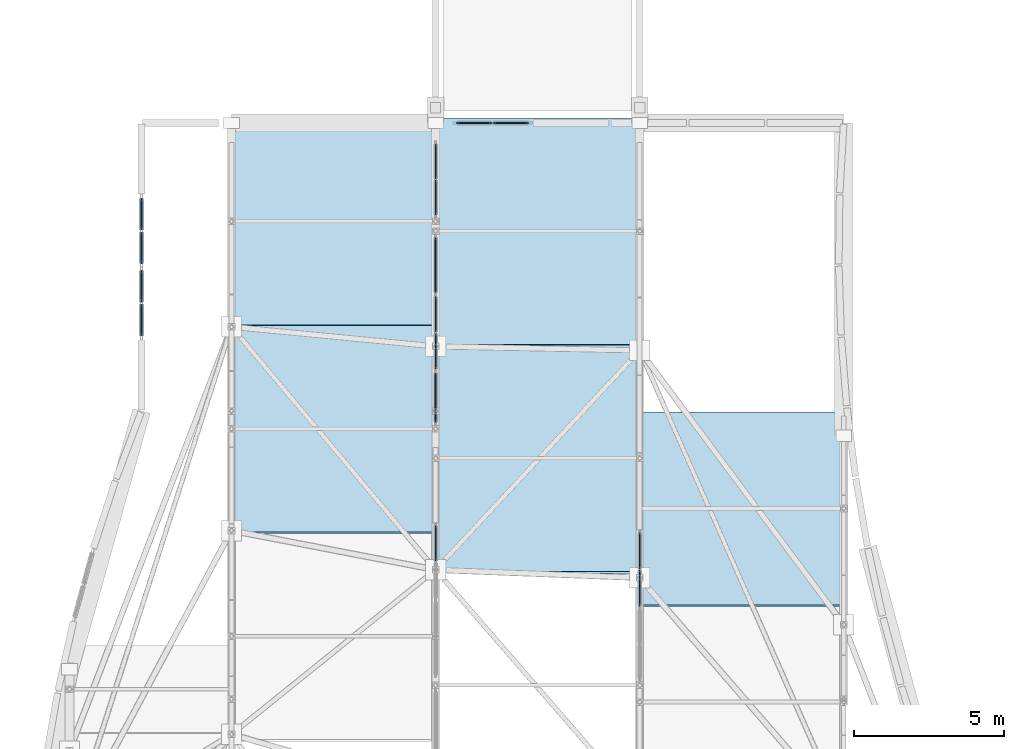
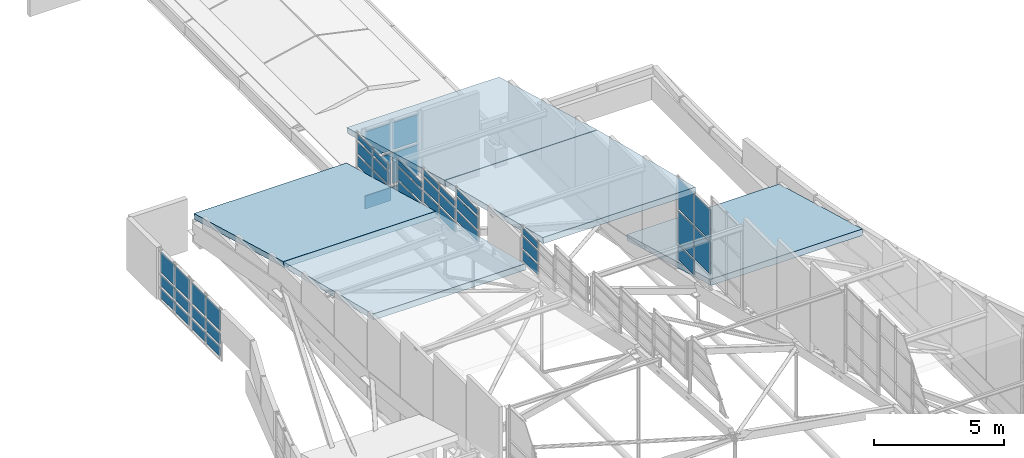
# One storey, part 158 of 188: 44 plates, 5 slabs, 9 elements without a shape of their own.
"""IFC4 building model written with IfcOpenShell, lengths in metres."""

from ifc_helpers import new_model, si_unit, direction, frame, origin, origin_2d, place, context, subcontext, project, spatial, polyline, rectangle, outline, extrude, material, layer, layer_set, type_object, element, aggregate, save


model = new_model("IFC4")

# Units and contexts
model_context = context("Model", 3, precision=1e-05, world=origin(), true_north=direction((0.0, 1.0)))
body_context = subcontext(model_context, "Body", "Model", "MODEL_VIEW")
ifc_project = project(units=[si_unit("LENGTHUNIT", "METRE"), si_unit("AREAUNIT", "SQUARE_METRE"), si_unit("VOLUMEUNIT", "CUBIC_METRE"), si_unit("PLANEANGLEUNIT", "RADIAN"), si_unit("MASSUNIT", "GRAM", prefix="KILO")], contexts=[model_context])

# Site, building, storey
site_placement = place(None, origin())
site = spatial("IfcSite", under=ifc_project, at=site_placement, CompositionType="ELEMENT")
building_placement = place(site_placement, origin())
building = spatial("IfcBuilding", under=site, at=building_placement, Name="Kisaragi Civic Commons", CompositionType="ELEMENT")
storey_placement = place(building_placement, frame((0.0, 0.0, 9.60009765625)))
storey = spatial("IfcBuildingStorey", under=building, at=storey_placement, Name="L02", CompositionType="ELEMENT", Elevation=9.60009765625)

# Curtain wall, plates
ifc_material_1 = material(Name="Thermally broken anodized aluminium and low-E double glazing", Category="aluminium")
ifc_layer_1 = layer(ifc_material_1, 0.2099609375, Name="Thermally broken anodized aluminium and low-E double glazing", Category="aluminium")
ifc_layer_set_1 = layer_set([ifc_layer_1], Name="Thermally broken anodized aluminium and low-E double glazing")
curtain_wall_type_1 = type_object("IfcCurtainWallType", Name="CW-02", PredefinedType="NOTDEFINED", material=ifc_layer_set_1)
curtain_wall_1_placement = place(storey_placement, origin())
curtain_wall_1 = element("IfcCurtainWall", 1, at=curtain_wall_1_placement, inside=storey, type_object=curtain_wall_type_1, Name="L02 curtain wall CW-02 CW-GAB-V1-172", PredefinedType="NOTDEFINED")
ifc_layer_2 = layer(ifc_material_1, 0.052001953125, Name="Thermally broken anodized aluminium and low-E double glazing", Category="aluminium")
ifc_layer_set_2 = layer_set([ifc_layer_2], Name="Thermally broken anodized aluminium and low-E double glazing")
plate_type_1 = type_object("IfcPlateType", Name="CWP-02", PredefinedType="CURTAIN_PANEL", material=ifc_layer_set_2)
plate_1_placement = place(storey_placement, frame((3.800048828125, 55.83740234375, -1.2392578125), z_axis=(0.0, 0.0, 1.0), x_axis=(0.0, 1.0, 0.0)))
plate_1 = element("IfcPlate", 2, at=plate_1_placement, type_object=plate_type_1, Name="CW-02 panel 1.1", PredefinedType="CURTAIN_PANEL", context=body_context, shape_type="SweptSolid", body=[
    extrude(rectangle(XDim=1.054931640625, YDim=0.052001953125, at=origin_2d()), origin(), (0.0, 0.0, 1.0), 0.409912109375),
])
plate_2_placement = place(storey_placement, frame((3.800048828125, 55.83740234375, -0.6689453125), z_axis=(0.0, 0.0, 1.0), x_axis=(0.0, 1.0, 0.0)))
plate_2 = element("IfcPlate", 3, at=plate_2_placement, type_object=plate_type_1, Name="CW-02 panel 1.2", PredefinedType="CURTAIN_PANEL", context=body_context, shape_type="SweptSolid", body=[
    extrude(rectangle(XDim=1.054931640625, YDim=0.052001953125, at=origin_2d()), origin(), (0.0, 0.0, 1.0), 0.489990234375),
])
plate_3_placement = place(storey_placement, frame((3.800048828125, 55.83740234375, -0.01904296875), z_axis=(0.0, 0.0, 1.0), x_axis=(0.0, 1.0, 0.0)))
plate_3 = element("IfcPlate", 4, at=plate_3_placement, type_object=plate_type_1, Name="CW-02 panel 1.3", PredefinedType="CURTAIN_PANEL", context=body_context, shape_type="SweptSolid", body=[
    extrude(rectangle(XDim=1.054931640625, YDim=0.052001953125, at=origin_2d()), origin(), (0.0, 0.0, 1.0), 0.9208984375),
])
plate_4_placement = place(storey_placement, frame((3.800048828125, 56.96240234375, -1.2392578125), z_axis=(0.0, 0.0, 1.0), x_axis=(0.0, 1.0, 0.0)))
plate_4 = element("IfcPlate", 5, at=plate_4_placement, type_object=plate_type_1, Name="CW-02 panel 2.1", PredefinedType="CURTAIN_PANEL", context=body_context, shape_type="SweptSolid", body=[
    extrude(rectangle(XDim=1.054931640625, YDim=0.052001953125, at=origin_2d()), origin(), (0.0, 0.0, 1.0), 0.409912109375),
])
plate_5_placement = place(storey_placement, frame((3.800048828125, 56.96240234375, -0.6689453125), z_axis=(0.0, 0.0, 1.0), x_axis=(0.0, 1.0, 0.0)))
plate_5 = element("IfcPlate", 6, at=plate_5_placement, type_object=plate_type_1, Name="CW-02 panel 2.2", PredefinedType="CURTAIN_PANEL", context=body_context, shape_type="SweptSolid", body=[
    extrude(rectangle(XDim=1.054931640625, YDim=0.052001953125, at=origin_2d()), origin(), (0.0, 0.0, 1.0), 0.489990234375),
])
plate_6_placement = place(storey_placement, frame((3.800048828125, 56.96240234375, -0.01904296875), z_axis=(0.0, 0.0, 1.0), x_axis=(0.0, 1.0, 0.0)))
plate_6 = element("IfcPlate", 7, at=plate_6_placement, type_object=plate_type_1, Name="CW-02 panel 2.3", PredefinedType="CURTAIN_PANEL", context=body_context, shape_type="SweptSolid", body=[
    extrude(rectangle(XDim=1.054931640625, YDim=0.052001953125, at=origin_2d()), origin(), (0.0, 0.0, 1.0), 0.9208984375),
])
aggregate(curtain_wall_1, [plate_1, plate_2, plate_3, plate_4, plate_5, plate_6])

curtain_wall_2_placement = place(storey_placement, origin())
curtain_wall_2 = element("IfcCurtainWall", 8, at=curtain_wall_2_placement, inside=storey, type_object=curtain_wall_type_1, Name="L02 curtain wall CW-02 CW-GAB-V1-173", PredefinedType="NOTDEFINED")
plate_7_placement = place(storey_placement, frame((3.800048828125, 58.237548828125, -1.2392578125), z_axis=(0.0, 0.0, 1.0), x_axis=(0.0, 1.0, 0.0)))
plate_7 = element("IfcPlate", 9, at=plate_7_placement, type_object=plate_type_1, Name="CW-02 panel 1.1", PredefinedType="CURTAIN_PANEL", context=body_context, shape_type="SweptSolid", body=[
    extrude(rectangle(XDim=1.054931640625, YDim=0.052001953125, at=origin_2d()), origin(), (0.0, 0.0, 1.0), 0.409912109375),
])
plate_8_placement = place(storey_placement, frame((3.800048828125, 58.237548828125, -0.6689453125), z_axis=(0.0, 0.0, 1.0), x_axis=(0.0, 1.0, 0.0)))
plate_8 = element("IfcPlate", 10, at=plate_8_placement, type_object=plate_type_1, Name="CW-02 panel 1.2", PredefinedType="CURTAIN_PANEL", context=body_context, shape_type="SweptSolid", body=[
    extrude(rectangle(XDim=1.054931640625, YDim=0.052001953125, at=origin_2d()), origin(), (0.0, 0.0, 1.0), 0.489990234375),
])
plate_9_placement = place(storey_placement, frame((3.800048828125, 58.237548828125, -0.01904296875), z_axis=(0.0, 0.0, 1.0), x_axis=(0.0, 1.0, 0.0)))
plate_9 = element("IfcPlate", 11, at=plate_9_placement, type_object=plate_type_1, Name="CW-02 panel 1.3", PredefinedType="CURTAIN_PANEL", context=body_context, shape_type="SweptSolid", body=[
    extrude(rectangle(XDim=1.054931640625, YDim=0.052001953125, at=origin_2d()), origin(), (0.0, 0.0, 1.0), 0.9208984375),
])
plate_10_placement = place(storey_placement, frame((3.800048828125, 59.362548828125, -1.2392578125), z_axis=(0.0, 0.0, 1.0), x_axis=(0.0, 1.0, 0.0)))
plate_10 = element("IfcPlate", 12, at=plate_10_placement, type_object=plate_type_1, Name="CW-02 panel 2.1", PredefinedType="CURTAIN_PANEL", context=body_context, shape_type="SweptSolid", body=[
    extrude(rectangle(XDim=1.054931640625, YDim=0.052001953125, at=origin_2d()), origin(), (0.0, 0.0, 1.0), 0.409912109375),
])
plate_11_placement = place(storey_placement, frame((3.800048828125, 59.362548828125, -0.6689453125), z_axis=(0.0, 0.0, 1.0), x_axis=(0.0, 1.0, 0.0)))
plate_11 = element("IfcPlate", 13, at=plate_11_placement, type_object=plate_type_1, Name="CW-02 panel 2.2", PredefinedType="CURTAIN_PANEL", context=body_context, shape_type="SweptSolid", body=[
    extrude(rectangle(XDim=1.054931640625, YDim=0.052001953125, at=origin_2d()), origin(), (0.0, 0.0, 1.0), 0.489990234375),
])
plate_12_placement = place(storey_placement, frame((3.800048828125, 59.362548828125, -0.01904296875), z_axis=(0.0, 0.0, 1.0), x_axis=(0.0, 1.0, 0.0)))
plate_12 = element("IfcPlate", 14, at=plate_12_placement, type_object=plate_type_1, Name="CW-02 panel 2.3", PredefinedType="CURTAIN_PANEL", context=body_context, shape_type="SweptSolid", body=[
    extrude(rectangle(XDim=1.054931640625, YDim=0.052001953125, at=origin_2d()), origin(), (0.0, 0.0, 1.0), 0.9208984375),
])
aggregate(curtain_wall_2, [plate_7, plate_8, plate_9, plate_10, plate_11, plate_12])

curtain_wall_3_placement = place(storey_placement, origin())
curtain_wall_3 = element("IfcCurtainWall", 15, at=curtain_wall_3_placement, inside=storey, type_object=curtain_wall_type_1, Name="L02 curtain wall CW-02 CW-GAB-V1-174", PredefinedType="NOTDEFINED")
plate_13_placement = place(storey_placement, frame((14.887451171875, 62.39990234375, -2.27392578125), z_axis=(0.0, 0.0, 1.0), x_axis=(1.0, 0.0, 0.0)))
plate_13 = element("IfcPlate", 16, at=plate_13_placement, type_object=plate_type_1, Name="CW-02 panel 1.1", PredefinedType="CURTAIN_PANEL", context=body_context, shape_type="SweptSolid", body=[
    extrude(rectangle(XDim=1.155029296875, YDim=0.052001953125, at=origin_2d()), origin(), (0.0, 0.0, 1.0), 0.610107421875),
])
plate_14_placement = place(storey_placement, frame((14.887451171875, 62.39990234375, -1.504150390625), z_axis=(0.0, 0.0, 1.0), x_axis=(1.0, 0.0, 0.0)))
plate_14 = element("IfcPlate", 17, at=plate_14_placement, type_object=plate_type_1, Name="CW-02 panel 1.2", PredefinedType="CURTAIN_PANEL", context=body_context, shape_type="SweptSolid", body=[
    extrude(rectangle(XDim=1.155029296875, YDim=0.052001953125, at=origin_2d()), origin(), (0.0, 0.0, 1.0), 1.43994140625),
])
plate_15_placement = place(storey_placement, frame((14.887451171875, 62.39990234375, 0.095947265625), z_axis=(0.0, 0.0, 1.0), x_axis=(1.0, 0.0, 0.0)))
plate_15 = element("IfcPlate", 18, at=plate_15_placement, type_object=plate_type_1, Name="CW-02 panel 1.3", PredefinedType="CURTAIN_PANEL", context=body_context, shape_type="SweptSolid", body=[
    extrude(rectangle(XDim=1.155029296875, YDim=0.052001953125, at=origin_2d()), origin(), (0.0, 0.0, 1.0), 1.2626953125),
])
plate_16_placement = place(storey_placement, frame((16.112548828125, 62.39990234375, -2.27392578125), z_axis=(0.0, 0.0, 1.0), x_axis=(1.0, 0.0, 0.0)))
plate_16 = element("IfcPlate", 19, at=plate_16_placement, type_object=plate_type_1, Name="CW-02 panel 2.1", PredefinedType="CURTAIN_PANEL", context=body_context, shape_type="SweptSolid", body=[
    extrude(rectangle(XDim=1.155029296875, YDim=0.052001953125, at=origin_2d()), origin(), (0.0, 0.0, 1.0), 0.610107421875),
])
plate_17_placement = place(storey_placement, frame((16.112548828125, 62.39990234375, -1.504150390625), z_axis=(0.0, 0.0, 1.0), x_axis=(1.0, 0.0, 0.0)))
plate_17 = element("IfcPlate", 20, at=plate_17_placement, type_object=plate_type_1, Name="CW-02 panel 2.2", PredefinedType="CURTAIN_PANEL", context=body_context, shape_type="SweptSolid", body=[
    extrude(rectangle(XDim=1.155029296875, YDim=0.052001953125, at=origin_2d()), origin(), (0.0, 0.0, 1.0), 1.43994140625),
])
plate_18_placement = place(storey_placement, frame((16.112548828125, 62.39990234375, 0.095947265625), z_axis=(0.0, 0.0, 1.0), x_axis=(1.0, 0.0, 0.0)))
plate_18 = element("IfcPlate", 21, at=plate_18_placement, type_object=plate_type_1, Name="CW-02 panel 2.3", PredefinedType="CURTAIN_PANEL", context=body_context, shape_type="SweptSolid", body=[
    extrude(rectangle(XDim=1.155029296875, YDim=0.052001953125, at=origin_2d()), origin(), (0.0, 0.0, 1.0), 1.2626953125),
])
aggregate(curtain_wall_3, [plate_13, plate_14, plate_15, plate_16, plate_17, plate_18])

ifc_layer_3 = layer(ifc_material_1, 0.14990234375, Name="Thermally broken anodized aluminium and low-E double glazing", Category="aluminium")
ifc_layer_set_3 = layer_set([ifc_layer_3], Name="Thermally broken anodized aluminium and low-E double glazing")
curtain_wall_type_2 = type_object("IfcCurtainWallType", Name="CW-03", PredefinedType="NOTDEFINED", material=ifc_layer_set_3)
curtain_wall_4_placement = place(storey_placement, origin())
curtain_wall_4 = element("IfcCurtainWall", 22, at=curtain_wall_4_placement, inside=storey, type_object=curtain_wall_type_2, Name="L02 curtain wall CW-03 CW-CL-V1-148", PredefinedType="NOTDEFINED")
ifc_layer_4 = layer(ifc_material_1, 0.0380859375, Name="Thermally broken anodized aluminium and low-E double glazing", Category="aluminium")
ifc_layer_set_4 = layer_set([ifc_layer_4], Name="Thermally broken anodized aluminium and low-E double glazing")
plate_type_2 = type_object("IfcPlateType", Name="CWP-03", PredefinedType="CURTAIN_PANEL", material=ifc_layer_set_4)
plate_19_placement = place(storey_placement, frame((13.60009765625, 48.390380859375, 3.71435546875), z_axis=(0.0, 0.0, 1.0), x_axis=(0.0, 1.0, 0.0)))
plate_19 = element("IfcPlate", 23, at=plate_19_placement, type_object=plate_type_2, Name="CW-03 panel 2.1", PredefinedType="CURTAIN_PANEL", context=body_context, shape_type="SweptSolid", body=[
    extrude(rectangle(XDim=1.170166015625, YDim=0.0380859375, at=origin_2d()), origin(), (0.0, 0.0, 1.0), 0.469970703125),
])
plate_20_placement = place(storey_placement, frame((13.60009765625, 48.390380859375, 4.30419921875), z_axis=(0.0, 0.0, 1.0), x_axis=(0.0, 1.0, 0.0)))
plate_20 = element("IfcPlate", 24, at=plate_20_placement, type_object=plate_type_2, Name="CW-03 panel 2.2", PredefinedType="CURTAIN_PANEL", context=body_context, shape_type="SweptSolid", body=[
    extrude(rectangle(XDim=1.170166015625, YDim=0.0380859375, at=origin_2d()), origin(), (0.0, 0.0, 1.0), 0.530029296875),
])
plate_21_placement = place(storey_placement, frame((13.60009765625, 48.390380859375, 4.9541015625), z_axis=(0.0, 0.0, 1.0), x_axis=(0.0, 1.0, 0.0)))
plate_21 = element("IfcPlate", 25, at=plate_21_placement, type_object=plate_type_2, Name="CW-03 panel 2.3", PredefinedType="CURTAIN_PANEL", context=body_context, shape_type="SweptSolid", body=[
    extrude(rectangle(XDim=1.170166015625, YDim=0.0380859375, at=origin_2d()), origin(), (0.0, 0.0, 1.0), 0.290771484375),
])
aggregate(curtain_wall_4, [plate_19, plate_20, plate_21])

curtain_wall_5_placement = place(storey_placement, origin())
curtain_wall_5 = element("IfcCurtainWall", 26, at=curtain_wall_5_placement, inside=storey, type_object=curtain_wall_type_2, Name="L02 curtain wall CW-03 CW-CL-V1-150", PredefinedType="NOTDEFINED")
plate_22_placement = place(storey_placement, frame((13.60009765625, 54.793701171875, 1.837890625), z_axis=(0.0, 0.0, 1.0), x_axis=(0.0, 1.0, 0.0)))
plate_22 = element("IfcPlate", 27, at=plate_22_placement, type_object=plate_type_2, Name="CW-03 panel 1.1", PredefinedType="CURTAIN_PANEL", context=body_context, shape_type="SweptSolid", body=[
    extrude(rectangle(XDim=1.170166015625, YDim=0.0380859375, at=origin_2d()), origin(), (0.0, 0.0, 1.0), 0.469970703125),
])
plate_23_placement = place(storey_placement, frame((13.60009765625, 54.793701171875, 2.427734375), z_axis=(0.0, 0.0, 1.0), x_axis=(0.0, 1.0, 0.0)))
plate_23 = element("IfcPlate", 28, at=plate_23_placement, type_object=plate_type_2, Name="CW-03 panel 1.2", PredefinedType="CURTAIN_PANEL", context=body_context, shape_type="SweptSolid", body=[
    extrude(rectangle(XDim=1.170166015625, YDim=0.0380859375, at=origin_2d()), origin(), (0.0, 0.0, 1.0), 0.530029296875),
])
plate_24_placement = place(storey_placement, frame((13.60009765625, 54.793701171875, 3.07763671875), z_axis=(0.0, 0.0, 1.0), x_axis=(0.0, 1.0, 0.0)))
plate_24 = element("IfcPlate", 29, at=plate_24_placement, type_object=plate_type_2, Name="CW-03 panel 1.3", PredefinedType="CURTAIN_PANEL", context=body_context, shape_type="SweptSolid", body=[
    extrude(rectangle(XDim=1.170166015625, YDim=0.0380859375, at=origin_2d()), origin(), (0.0, 0.0, 1.0), 0.252685546875),
])
plate_25_placement = place(storey_placement, frame((13.60009765625, 56.02392578125, 1.837890625), z_axis=(0.0, 0.0, 1.0), x_axis=(0.0, 1.0, 0.0)))
plate_25 = element("IfcPlate", 30, at=plate_25_placement, type_object=plate_type_2, Name="CW-03 panel 2.1", PredefinedType="CURTAIN_PANEL", context=body_context, shape_type="SweptSolid", body=[
    extrude(rectangle(XDim=1.170166015625, YDim=0.0380859375, at=origin_2d()), origin(), (0.0, 0.0, 1.0), 0.469970703125),
])
plate_26_placement = place(storey_placement, frame((13.60009765625, 56.02392578125, 2.427734375), z_axis=(0.0, 0.0, 1.0), x_axis=(0.0, 1.0, 0.0)))
plate_26 = element("IfcPlate", 31, at=plate_26_placement, type_object=plate_type_2, Name="CW-03 panel 2.2", PredefinedType="CURTAIN_PANEL", context=body_context, shape_type="SweptSolid", body=[
    extrude(rectangle(XDim=1.170166015625, YDim=0.0380859375, at=origin_2d()), origin(), (0.0, 0.0, 1.0), 0.530029296875),
])
plate_27_placement = place(storey_placement, frame((13.60009765625, 56.02392578125, 3.07763671875), z_axis=(0.0, 0.0, 1.0), x_axis=(0.0, 1.0, 0.0)))
plate_27 = element("IfcPlate", 32, at=plate_27_placement, type_object=plate_type_2, Name="CW-03 panel 2.3", PredefinedType="CURTAIN_PANEL", context=body_context, shape_type="SweptSolid", body=[
    extrude(rectangle(XDim=1.170166015625, YDim=0.0380859375, at=origin_2d()), origin(), (0.0, 0.0, 1.0), 0.252685546875),
])
aggregate(curtain_wall_5, [plate_22, plate_23, plate_24, plate_25, plate_26, plate_27])

curtain_wall_6_placement = place(storey_placement, origin())
curtain_wall_6 = element("IfcCurtainWall", 33, at=curtain_wall_6_placement, inside=storey, type_object=curtain_wall_type_2, Name="L02 curtain wall CW-03 CW-CL-V1-152", PredefinedType="NOTDEFINED")
plate_28_placement = place(storey_placement, frame((13.60009765625, 59.917236328125, 0.43359375), z_axis=(0.0, 0.0, 1.0), x_axis=(0.0, 1.0, 0.0)))
plate_28 = element("IfcPlate", 34, at=plate_28_placement, type_object=plate_type_2, Name="CW-03 panel 1.1", PredefinedType="CURTAIN_PANEL", context=body_context, shape_type="SweptSolid", body=[
    extrude(rectangle(XDim=1.147216796875, YDim=0.0380859375, at=origin_2d()), origin(), (0.0, 0.0, 1.0), 0.469970703125),
])
plate_29_placement = place(storey_placement, frame((13.60009765625, 59.917236328125, 1.02392578125), z_axis=(0.0, 0.0, 1.0), x_axis=(0.0, 1.0, 0.0)))
plate_29 = element("IfcPlate", 35, at=plate_29_placement, type_object=plate_type_2, Name="CW-03 panel 1.2", PredefinedType="CURTAIN_PANEL", context=body_context, shape_type="SweptSolid", body=[
    extrude(rectangle(XDim=1.147216796875, YDim=0.0380859375, at=origin_2d()), origin(), (0.0, 0.0, 1.0), 0.530029296875),
])
plate_30_placement = place(storey_placement, frame((13.60009765625, 59.917236328125, 1.673828125), z_axis=(0.0, 0.0, 1.0), x_axis=(0.0, 1.0, 0.0)))
plate_30 = element("IfcPlate", 36, at=plate_30_placement, type_object=plate_type_2, Name="CW-03 panel 1.3", PredefinedType="CURTAIN_PANEL", context=body_context, shape_type="SweptSolid", body=[
    extrude(rectangle(XDim=1.147216796875, YDim=0.0380859375, at=origin_2d()), origin(), (0.0, 0.0, 1.0), 0.245361328125),
])
plate_31_placement = place(storey_placement, frame((13.60009765625, 61.124267578125, 0.43359375), z_axis=(0.0, 0.0, 1.0), x_axis=(0.0, 1.0, 0.0)))
plate_31 = element("IfcPlate", 37, at=plate_31_placement, type_object=plate_type_2, Name="CW-03 panel 2.1", PredefinedType="CURTAIN_PANEL", context=body_context, shape_type="SweptSolid", body=[
    extrude(rectangle(XDim=1.147216796875, YDim=0.0380859375, at=origin_2d()), origin(), (0.0, 0.0, 1.0), 0.469970703125),
])
plate_32_placement = place(storey_placement, frame((13.60009765625, 61.124267578125, 1.02392578125), z_axis=(0.0, 0.0, 1.0), x_axis=(0.0, 1.0, 0.0)))
plate_32 = element("IfcPlate", 38, at=plate_32_placement, type_object=plate_type_2, Name="CW-03 panel 2.2", PredefinedType="CURTAIN_PANEL", context=body_context, shape_type="SweptSolid", body=[
    extrude(rectangle(XDim=1.147216796875, YDim=0.0380859375, at=origin_2d()), origin(), (0.0, 0.0, 1.0), 0.530029296875),
])
plate_33_placement = place(storey_placement, frame((13.60009765625, 61.124267578125, 1.673828125), z_axis=(0.0, 0.0, 1.0), x_axis=(0.0, 1.0, 0.0)))
plate_33 = element("IfcPlate", 39, at=plate_33_placement, type_object=plate_type_2, Name="CW-03 panel 2.3", PredefinedType="CURTAIN_PANEL", context=body_context, shape_type="SweptSolid", body=[
    extrude(rectangle(XDim=1.147216796875, YDim=0.0380859375, at=origin_2d()), origin(), (0.0, 0.0, 1.0), 0.245361328125),
])
aggregate(curtain_wall_6, [plate_28, plate_29, plate_30, plate_31, plate_32, plate_33])

curtain_wall_7_placement = place(storey_placement, origin())
curtain_wall_7 = element("IfcCurtainWall", 40, at=curtain_wall_7_placement, inside=storey, type_object=curtain_wall_type_2, Name="L02 curtain wall CW-03 CW-CL-V1-149", PredefinedType="NOTDEFINED")
ifc_layer_5 = layer(ifc_material_1, 0.041015625, Name="Thermally broken anodized aluminium and low-E double glazing", Category="aluminium")
ifc_layer_set_5 = layer_set([ifc_layer_5], Name="Thermally broken anodized aluminium and low-E double glazing")
plate_type_3 = type_object("IfcPlateType", Name="CWP-11", PredefinedType="CURTAIN_PANEL", material=ifc_layer_set_5)
plate_34_placement = place(storey_placement, frame((13.60009765625, 53.24755859375, 2.47216796875), z_axis=(0.0, 0.0, 1.0), x_axis=(0.0, 1.0, 0.0)))
plate_34 = element("IfcPlate", 41, at=plate_34_placement, type_object=plate_type_3, Name="CW-03 panel 1.1", PredefinedType="CURTAIN_PANEL", context=body_context, shape_type="SweptSolid", body=[
    extrude(rectangle(XDim=1.634033203125, YDim=0.041015625, at=origin_2d()), origin(), (0.0, 0.0, 1.0), 0.469970703125),
])
plate_35_placement = place(storey_placement, frame((13.60009765625, 53.24755859375, 3.0625), z_axis=(0.0, 0.0, 1.0), x_axis=(0.0, 1.0, 0.0)))
plate_35 = element("IfcPlate", 42, at=plate_35_placement, type_object=plate_type_3, Name="CW-03 panel 1.2", PredefinedType="CURTAIN_PANEL", context=body_context, shape_type="SweptSolid", body=[
    extrude(rectangle(XDim=1.634033203125, YDim=0.041015625, at=origin_2d()), origin(), (0.0, 0.0, 1.0), 0.530029296875),
])
plate_36_placement = place(storey_placement, frame((13.60009765625, 53.24755859375, 3.71240234375), z_axis=(0.0, 0.0, 1.0), x_axis=(0.0, 1.0, 0.0)))
plate_36 = element("IfcPlate", 43, at=plate_36_placement, type_object=plate_type_3, Name="CW-03 panel 1.3", PredefinedType="CURTAIN_PANEL", context=body_context, shape_type="SweptSolid", body=[
    extrude(rectangle(XDim=1.634033203125, YDim=0.041015625, at=origin_2d()), origin(), (0.0, 0.0, 1.0), 0.263671875),
])
aggregate(curtain_wall_7, [plate_34, plate_35, plate_36])

curtain_wall_8_placement = place(storey_placement, origin())
curtain_wall_8 = element("IfcCurtainWall", 44, at=curtain_wall_8_placement, inside=storey, type_object=curtain_wall_type_2, Name="L02 curtain wall CW-03 CW-CL-V1-151", PredefinedType="NOTDEFINED")
plate_37_placement = place(storey_placement, frame((13.60009765625, 57.66455078125, 1.1396484375), z_axis=(0.0, 0.0, 1.0), x_axis=(0.0, 1.0, 0.0)))
plate_37 = element("IfcPlate", 45, at=plate_37_placement, type_object=plate_type_3, Name="CW-03 panel 1.1", PredefinedType="CURTAIN_PANEL", context=body_context, shape_type="SweptSolid", body=[
    extrude(rectangle(XDim=1.8232421875, YDim=0.041015625, at=origin_2d()), origin(), (0.0, 0.0, 1.0), 0.469970703125),
])
plate_38_placement = place(storey_placement, frame((13.60009765625, 57.66455078125, 1.7294921875), z_axis=(0.0, 0.0, 1.0), x_axis=(0.0, 1.0, 0.0)))
plate_38 = element("IfcPlate", 46, at=plate_38_placement, type_object=plate_type_3, Name="CW-03 panel 1.2", PredefinedType="CURTAIN_PANEL", context=body_context, shape_type="SweptSolid", body=[
    extrude(rectangle(XDim=1.8232421875, YDim=0.041015625, at=origin_2d()), origin(), (0.0, 0.0, 1.0), 0.530029296875),
])
plate_39_placement = place(storey_placement, frame((13.60009765625, 57.66455078125, 2.37939453125), z_axis=(0.0, 0.0, 1.0), x_axis=(0.0, 1.0, 0.0)))
plate_39 = element("IfcPlate", 47, at=plate_39_placement, type_object=plate_type_3, Name="CW-03 panel 1.3", PredefinedType="CURTAIN_PANEL", context=body_context, shape_type="SweptSolid", body=[
    extrude(rectangle(XDim=1.8232421875, YDim=0.041015625, at=origin_2d()), origin(), (0.0, 0.0, 1.0), 0.245361328125),
])
aggregate(curtain_wall_8, [plate_37, plate_38, plate_39])

curtain_wall_9_placement = place(storey_placement, origin())
curtain_wall_9 = element("IfcCurtainWall", 48, at=curtain_wall_9_placement, inside=storey, type_object=curtain_wall_type_2, Name="L02 curtain wall CW-03 CW-CL-V1-163", PredefinedType="NOTDEFINED")
plate_40_placement = place(storey_placement, frame((20.39990234375, 46.895751953125, 2.2958984375), z_axis=(0.0, 0.0, 1.0), x_axis=(0.0, 1.0, 0.0)))
plate_40 = element("IfcPlate", 49, at=plate_40_placement, type_object=plate_type_3, Name="CW-03 panel 1.2", PredefinedType="CURTAIN_PANEL", context=body_context, shape_type="SweptSolid", body=[
    extrude(rectangle(XDim=1.193359375, YDim=0.041015625, at=origin_2d()), origin(), (0.0, 0.0, 1.0), 1.47998046875),
])
plate_41_placement = place(storey_placement, frame((20.39990234375, 46.895751953125, 3.895751953125), z_axis=(0.0, 0.0, 1.0), x_axis=(0.0, 1.0, 0.0)))
plate_41 = element("IfcPlate", 50, at=plate_41_placement, type_object=plate_type_3, Name="CW-03 panel 1.3", PredefinedType="CURTAIN_PANEL", context=body_context, shape_type="SweptSolid", body=[
    extrude(rectangle(XDim=1.193359375, YDim=0.041015625, at=origin_2d()), origin(), (0.0, 0.0, 1.0), 1.412109375),
])
plate_42_placement = place(storey_placement, frame((20.39990234375, 48.149169921875, 1.505859375), z_axis=(0.0, 0.0, 1.0), x_axis=(0.0, 1.0, 0.0)))
plate_42 = element("IfcPlate", 51, at=plate_42_placement, type_object=plate_type_3, Name="CW-03 panel 2.1", PredefinedType="CURTAIN_PANEL", context=body_context, shape_type="SweptSolid", body=[
    extrude(rectangle(XDim=1.193359375, YDim=0.041015625, at=origin_2d()), origin(), (0.0, 0.0, 1.0), 0.669921875),
])
plate_43_placement = place(storey_placement, frame((20.39990234375, 48.149169921875, 2.2958984375), z_axis=(0.0, 0.0, 1.0), x_axis=(0.0, 1.0, 0.0)))
plate_43 = element("IfcPlate", 52, at=plate_43_placement, type_object=plate_type_3, Name="CW-03 panel 2.2", PredefinedType="CURTAIN_PANEL", context=body_context, shape_type="SweptSolid", body=[
    extrude(rectangle(XDim=1.193359375, YDim=0.041015625, at=origin_2d()), origin(), (0.0, 0.0, 1.0), 1.47998046875),
])
plate_44_placement = place(storey_placement, frame((20.39990234375, 48.149169921875, 3.895751953125), z_axis=(0.0, 0.0, 1.0), x_axis=(0.0, 1.0, 0.0)))
plate_44 = element("IfcPlate", 53, at=plate_44_placement, type_object=plate_type_3, Name="CW-03 panel 2.3", PredefinedType="CURTAIN_PANEL", context=body_context, shape_type="SweptSolid", body=[
    extrude(rectangle(XDim=1.193359375, YDim=0.041015625, at=origin_2d()), origin(), (0.0, 0.0, 1.0), 1.412109375),
])
aggregate(curtain_wall_9, [plate_40, plate_41, plate_42, plate_43, plate_44])

# Slabs
ifc_material_2 = material(Name="Concrete Fc30", Category="concrete")
ifc_layer_6 = layer(ifc_material_2, 0.2548828125, Name="Concrete Fc30", Category="concrete")
ifc_layer_set_6 = layer_set([ifc_layer_6], Name="Concrete Fc30")
slab_type = type_object("IfcSlabType", Name="SL-WV1", PredefinedType="ROOF", material=ifc_layer_set_6)
slab_1_placement = place(storey_placement, frame((13.594970703125, 55.656982421875, 1.950927734375), z_axis=(0.0, 0.2419372048, 0.970291909135), x_axis=(-1.0, 0.0, 0.0)))
element("IfcSlab", 54, at=slab_1_placement, inside=storey, type_object=slab_type, Name="V1 continuous wave vault facet 2.7", PredefinedType="ROOF", context=body_context, shape_type="SweptSolid", body=[
    extrude(outline(polyline([(0.0, 0.0), (6.7900390625, 0.0), (6.7900390625, 7.104116133867203), (0.0, 7.104116133867203), (0.0, 0.0)])), origin(), (0.0, 0.0, -1.0), 0.2548828125),
])
slab_2_placement = place(storey_placement, frame((13.594970703125, 62.572021484375, 0.03369140625), z_axis=(0.0, 0.267232046499, 0.963632208534), x_axis=(-1.0, 0.0, 0.0)))
element("IfcSlab", 55, at=slab_2_placement, inside=storey, type_object=slab_type, Name="V1 continuous wave vault facet 2.8", PredefinedType="ROOF", context=body_context, shape_type="SweptSolid", body=[
    extrude(outline(polyline([(0.0, 0.0), (6.7900390625, 0.0), (6.7900390625, 7.155239800194112), (0.0, 7.155239800194112), (0.0, 0.0)])), origin(), (0.0, 0.0, -1.0), 0.2548828125),
])
slab_3_placement = place(storey_placement, frame((20.39501953125, 55.002685546875, 3.7978515625), z_axis=(0.0, 0.241922628182, 0.970295543622), x_axis=(-1.0, 0.0, 0.0)))
element("IfcSlab", 56, at=slab_3_placement, inside=storey, type_object=slab_type, Name="V1 continuous wave vault facet 3.7", PredefinedType="ROOF", context=body_context, shape_type="SweptSolid", body=[
    extrude(outline(polyline([(0.0, 0.0), (6.7900390625, 0.0), (6.7900390625, 7.778668542264099), (0.0, 7.778668542264099), (0.0, 0.0)])), origin(), (0.0, 0.0, -1.0), 0.2548828125),
])
slab_4_placement = place(storey_placement, frame((20.39501953125, 62.572021484375, 1.698974609375), z_axis=(0.0, 0.267225945783, 0.963633900348), x_axis=(-1.0, 0.0, 0.0)))
element("IfcSlab", 57, at=slab_4_placement, inside=storey, type_object=slab_type, Name="V1 continuous wave vault facet 3.8", PredefinedType="ROOF", context=body_context, shape_type="SweptSolid", body=[
    extrude(outline(polyline([(0.0, 0.0), (6.7900390625, 0.0), (6.7900390625, 7.834216296791459), (0.0, 7.834216296791459), (0.0, 0.0)])), origin(), (0.0, 0.0, -1.0), 0.2548828125),
])
slab_5_placement = place(storey_placement, frame((27.195068359375, 52.77099609375, 0.225341796875), z_axis=(0.0, 0.267215629013, 0.963636761239), x_axis=(-1.0, 0.0, 0.0)))
element("IfcSlab", 58, at=slab_5_placement, inside=storey, type_object=slab_type, Name="V1 continuous wave vault facet 4.8", PredefinedType="ROOF", context=body_context, shape_type="SweptSolid", body=[
    extrude(outline(polyline([(0.0, 0.0), (6.7900390625, 0.0), (6.7900390625, 6.6751013510578305), (0.0, 6.6751013510578305), (0.0, 0.0)])), origin(), (0.0, 0.0, -1.0), 0.2548828125),
])

save(model, "model.ifc")
